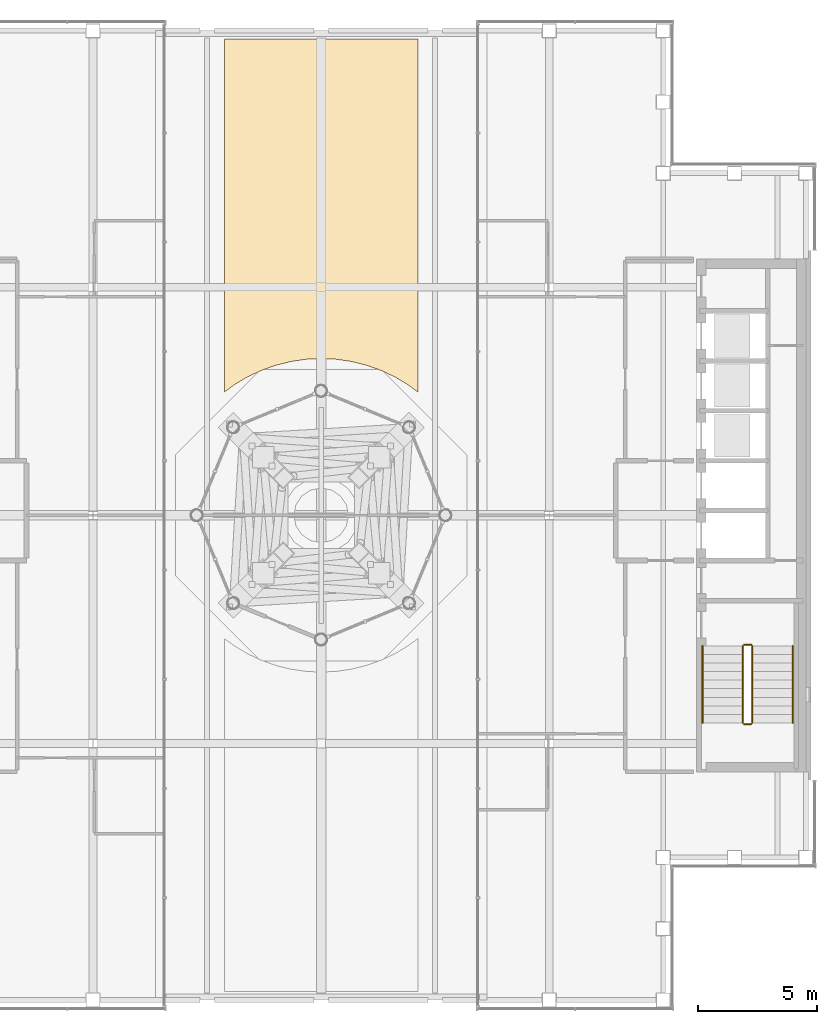
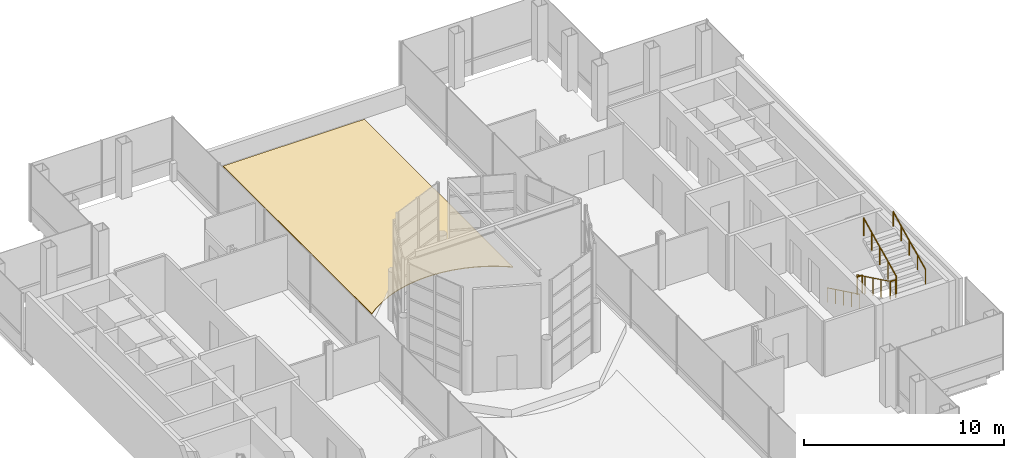
# One storey, part 31 of 32: 6 railings, 1 covering.
"""IFC4 building model written with IfcOpenShell, lengths in metres."""

import ifcopenshell
import ifcopenshell.guid

model = None  # the IFC model being written
_history = None  # IfcOwnerHistory: only IFC2X3 demands one
_inside = {}  # id of a spatial element -> (the spatial element, [elements in it])
_under = {}  # id of a project, library or spatial element -> (it, [spatial elements below it])
_declared = {}  # id of a project -> (the project, [libraries it declares])
_typed = {}  # id of a type object -> (the type object, [elements of that type])
_made_of = {}  # id of a material, layer set ... -> (it, [elements and type objects made of it])


def new_model(schema):
    """Start an empty IFC model of exactly this schema.

    Asked for "IFC4X3", IfcOpenShell would pick the latest addendum, in which some entities
    have other attributes; the version numbers below select the first issue.
    IFC2X3 requires an IfcOwnerHistory on every rooted entity: one is made here for all.
    """
    global model, _history
    if schema == "IFC4X3":
        model = ifcopenshell.file(schema_version=(4, 3, 0, 0))
    else:
        model = ifcopenshell.file(schema=schema)
    _inside.clear()
    _under.clear()
    _declared.clear()
    _typed.clear()
    _made_of.clear()
    _history = None
    if model.schema == "IFC2X3":
        org = make("IfcOrganization", Name="unknown")
        user = make(
            "IfcPersonAndOrganization",
            ThePerson=make("IfcPerson", FamilyName="unknown"),
            TheOrganization=org,
        )
        app = make(
            "IfcApplication",
            ApplicationDeveloper=org,
            Version="unknown",
            ApplicationFullName="unknown",
            ApplicationIdentifier="unknown",
        )
        _history = make(
            "IfcOwnerHistory",
            OwningUser=user,
            OwningApplication=app,
            ChangeAction="ADDED",
            CreationDate=0,
        )
    return model


def make(cls, **values):
    """One entity of the class cls with the attributes given. An attribute that is None is left unset."""
    return model.create_entity(
        cls, **{name: value for name, value in values.items() if value is not None}
    )


def rooted(cls, **values):
    """An entity with a GlobalId (a new one), such as an element, a storey or a relation."""
    return make(cls, GlobalId=ifcopenshell.guid.new(), OwnerHistory=_history, **values)


def si_unit(unit_type, name, prefix=None):
    """IfcSIUnit, for example si_unit("LENGTHUNIT", "METRE", prefix="MILLI")."""
    return make("IfcSIUnit", UnitType=unit_type, Prefix=prefix, Name=name)


def assignment(units):
    """IfcUnitAssignment: the units of a project."""
    return None if units is None else make("IfcUnitAssignment", Units=units)


def point(xyz):
    """IfcCartesianPoint."""
    return None if xyz is None else make("IfcCartesianPoint", Coordinates=xyz)


def direction(xyz):
    """IfcDirection."""
    return None if xyz is None else make("IfcDirection", DirectionRatios=xyz)


def frame(location, z_axis=None, x_axis=None):
    """IfcAxis2Placement3D, a coordinate frame: its origin and axes. An axis left out is left unset."""
    return make(
        "IfcAxis2Placement3D",
        Location=point(location),
        Axis=direction(z_axis),
        RefDirection=direction(x_axis),
    )


def frame_2d(location, x_axis=None):
    """IfcAxis2Placement2D, a coordinate frame in the plane: its origin and x axis."""
    return make(
        "IfcAxis2Placement2D", Location=point(location), RefDirection=direction(x_axis)
    )


def origin():
    """The frame at (0, 0, 0) with its axes left unset."""
    return frame((0.0, 0.0, 0.0))


def origin_2d():
    """The frame at (0, 0) in the plane with its x axis left unset."""
    return frame_2d((0.0, 0.0))


def place(relative_to, where):
    """IfcLocalPlacement: puts the frame where relative to a parent placement (None: the world)."""
    return make(
        "IfcLocalPlacement", PlacementRelTo=relative_to, RelativePlacement=where
    )


def context(
    kind, dimensions, precision=None, world=None, true_north=None, identifier=None
):
    """IfcGeometricRepresentationContext, for example the 3D "Model" context."""
    return make(
        "IfcGeometricRepresentationContext",
        ContextIdentifier=identifier,
        ContextType=kind,
        CoordinateSpaceDimension=dimensions,
        Precision=precision,
        WorldCoordinateSystem=world,
        TrueNorth=true_north,
    )


def subcontext(parent, identifier, kind, view, scale=None):
    """IfcGeometricRepresentationSubContext, for example "Body" below "Model"."""
    return make(
        "IfcGeometricRepresentationSubContext",
        ContextIdentifier=identifier,
        ContextType=kind,
        ParentContext=parent,
        TargetScale=scale,
        TargetView=view,
    )


def project(units=None, contexts=None):
    """IfcProject with its units and contexts."""
    return rooted(
        "IfcProject",
        Name="project",
        RepresentationContexts=contexts,
        UnitsInContext=assignment(units),
    )


def spatial(cls, under=None, at=None, **own):
    """A site, building, storey or space (cls), placed at a placement, below another one or the project."""
    s = rooted(cls, ObjectPlacement=at, **own)
    if under is not None:
        _under.setdefault(under.id(), (under, []))[1].append(s)
    return s


def polyline(points):
    """IfcPolyline through the points."""
    return make("IfcPolyline", Points=[point(p) for p in points])


def profile(cls, at=None, kind="AREA", **sizes):
    """A parametric profile (cls). Its sizes go by their IFC names, for example OverallWidth=200.0."""
    return make(cls, ProfileType=kind, Position=at, **sizes)


def circle(**sizes):
    """IfcCircleProfileDef."""
    return profile("IfcCircleProfileDef", **sizes)


def outline(outer, holes=None, kind="AREA"):
    """IfcArbitraryClosedProfileDef: a profile drawn as a closed curve; with holes, ...WithVoids."""
    if holes is None:
        return make("IfcArbitraryClosedProfileDef", ProfileType=kind, OuterCurve=outer)
    return make(
        "IfcArbitraryProfileDefWithVoids",
        ProfileType=kind,
        OuterCurve=outer,
        InnerCurves=holes,
    )


def extrude(swept, where, along, depth):
    """IfcExtrudedAreaSolid: the profile swept, set in the frame where, extruded along a direction by depth."""
    return make(
        "IfcExtrudedAreaSolid",
        SweptArea=swept,
        Position=where,
        ExtrudedDirection=direction(along),
        Depth=depth,
    )


def shape(context_of_items, identifier, shape_type, items):
    """IfcShapeRepresentation: the items that make up one representation, for example the "Body"."""
    return make(
        "IfcShapeRepresentation",
        ContextOfItems=context_of_items,
        RepresentationIdentifier=identifier,
        RepresentationType=shape_type,
        Items=items,
    )


def material(Name=None, Category=None):
    """IfcMaterial."""
    return make("IfcMaterial", Name=Name, Category=Category)


def layer(
    of_material, thickness, ventilated=None, Name=None, Category=None, Priority=None
):
    """IfcMaterialLayer: one layer of a wall or slab, of a material (None: an air gap)."""
    return make(
        "IfcMaterialLayer",
        Material=of_material,
        LayerThickness=thickness,
        IsVentilated=ventilated,
        Name=Name,
        Category=Category,
        Priority=Priority,
    )


def layer_set(layers, Name=None):
    """IfcMaterialLayerSet."""
    return make("IfcMaterialLayerSet", MaterialLayers=layers, LayerSetName=Name)


def made_of(thing, what):
    """Note that an element or type object is made of a material, layer set ...; save() writes the relation."""
    if what is not None:
        _made_of.setdefault(what.id(), (what, []))[1].append(thing)
    return thing


def type_object(cls, material=None, **own):
    """A type object (cls), such as IfcWallType, which elements share."""
    return made_of(rooted(cls, **own), material)


def element(
    cls,
    number,
    at=None,
    inside=None,
    cuts=None,
    type_object=None,
    material=None,
    context=None,
    identifier="Body",
    shape_type=None,
    held_by="IfcProductDefinitionShape",
    body=None,
    shapes=None,
    **own,
):
    """One element of the class cls, such as IfcWall. Its Tag is "e" and its number.

    at: its placement. inside: the storey or other place that contains it. cuts: it is an
    opening in that element (IfcRelVoidsElement). A single representation is given by context,
    identifier, shape_type and body (its items); several are given by shapes. held_by: the class
    of the entity that holds the representations. save() writes the other relations.
    """
    e = rooted(cls, Tag="e%d" % number, ObjectPlacement=at, **own)
    if body is not None:
        shapes = [shape(context, identifier, shape_type, body)]
    if shapes is not None:
        e.Representation = make(held_by, Representations=shapes)
    if inside is not None:
        _inside.setdefault(inside.id(), (inside, []))[1].append(e)
    if cuts is not None:
        rooted(
            "IfcRelVoidsElement", RelatingBuildingElement=cuts, RelatedOpeningElement=e
        )
    if type_object is not None:
        _typed.setdefault(type_object.id(), (type_object, []))[1].append(e)
    return made_of(e, material)


def aggregate(whole, parts):
    """IfcRelAggregates: a whole, such as a stair, and the parts it consists of."""
    return rooted("IfcRelAggregates", RelatingObject=whole, RelatedObjects=parts)


def save(model, path):
    """Write the relations noted so far, then the file.

    IfcRelAggregates (storeys below a building ...), IfcRelContainedInSpatialStructure (elements
    in a storey), IfcRelDefinesByType, IfcRelAssociatesMaterial and IfcRelDeclares: one each for
    every whole, place, type object, material and project.
    """
    for whole, parts in _under.values():
        aggregate(whole, parts)
    for where, things in _inside.values():
        rooted(
            "IfcRelContainedInSpatialStructure",
            RelatedElements=things,
            RelatingStructure=where,
        )
    for kind, things in _typed.values():
        rooted("IfcRelDefinesByType", RelatedObjects=things, RelatingType=kind)
    for what, things in _made_of.values():
        rooted("IfcRelAssociatesMaterial", RelatedObjects=things, RelatingMaterial=what)
    for by, libraries in _declared.values():
        rooted("IfcRelDeclares", RelatingContext=by, RelatedDefinitions=libraries)
    model.write(path)


model = new_model("IFC4")

# Units and contexts
model_context = context("Model", 3, precision=1e-05, world=origin(), true_north=direction((0.0, 1.0)))
body_context = subcontext(model_context, "Body", "Model", "MODEL_VIEW")
ifc_project = project(units=[si_unit("LENGTHUNIT", "METRE"), si_unit("AREAUNIT", "SQUARE_METRE"), si_unit("VOLUMEUNIT", "CUBIC_METRE"), si_unit("PLANEANGLEUNIT", "RADIAN"), si_unit("MASSUNIT", "GRAM", prefix="KILO")], contexts=[model_context])

# Site, building, storey
site_placement = place(None, origin())
site = spatial("IfcSite", under=ifc_project, at=site_placement, CompositionType="ELEMENT")
building_placement = place(site_placement, origin())
building = spatial("IfcBuilding", under=site, at=building_placement, Name="Cobrizo Arcos Hotel Tower", CompositionType="ELEMENT")
storey_placement = place(building_placement, frame((0.0, 0.0, 265.5)))
storey = spatial("IfcBuildingStorey", under=building, at=storey_placement, Name="L70", CompositionType="ELEMENT", Elevation=265.5)

# Covering
ifc_material_1 = material(Name="Roof membrane TPO single ply")
ifc_layer = layer(ifc_material_1, 0.0400390625)
ifc_layer_set = layer_set([ifc_layer], Name="RC-1 roof covering")
covering_type = type_object("IfcCoveringType", Name="RC-1 roof covering", PredefinedType="ROOFING", material=ifc_layer_set)
covering_placement = place(storey_placement, origin())
element("IfcCovering", 1, at=covering_placement, inside=storey, type_object=covering_type, Name="Roof covering L69 1", PredefinedType="ROOFING", context=body_context, shape_type="SweptSolid", body=[
    extrude(outline(polyline([(3.666748046875, 5.48779296875), (3.111328125, 5.82080078125), (2.525634765625, 6.09765625), (1.915771484375, 6.31591796875), (1.28759765625, 6.47314453125), (0.64697265625, 6.568115234375), (0.0, 6.60009765625), (-0.64697265625, 6.568115234375), (-1.28759765625, 6.47314453125), (-1.915771484375, 6.31591796875), (-2.525634765625, 6.09765625), (-3.111328125, 5.82080078125), (-3.666748046875, 5.48779296875), (-4.073974609375, 5.185546875), (-4.073974609375, 20.050048828125), (4.073974609375, 20.050048828125), (4.073974609375, 5.185546875), (3.666748046875, 5.48779296875)])), origin(), (0.0, 0.0, 1.0), 0.0400390625),
])

# Railings
ifc_material_2 = material(Name="Stainless steel railing", Category="steel")
railing_type_1 = type_object("IfcRailingType", Name="Stair guard 1100", PredefinedType="GUARDRAIL", material=ifc_material_2)
railing_1_placement = place(storey_placement, frame((17.75, -5.5, 0.175048828125)))
element("IfcRailing", 2, at=railing_1_placement, inside=storey, type_object=railing_type_1, Name="L70 ST-E stair guard 1", PredefinedType="GUARDRAIL", context=body_context, shape_type="SweptSolid", body=[
    extrude(circle(Radius=0.02392578125, at=origin_2d()), frame((0.0, 0.0, 1.076171875), z_axis=(0.0, -0.899372665325, 0.437182809435), x_axis=(1.0, 0.0, 0.0)), (0.0, 0.0, 1.0), 3.6025390625),
    extrude(circle(Radius=0.02099609375, at=origin_2d()), origin(), (0.0, 0.0, 1.0), 1.052001953125),
    extrude(circle(Radius=0.02099609375, at=origin_2d()), frame((0.0, -0.81005859375, 0.393798828125)), (0.0, 0.0, 1.0), 1.052001953125),
    extrude(circle(Radius=0.02099609375, at=origin_2d()), frame((0.0, -1.6201171875, 0.78759765625)), (0.0, 0.0, 1.0), 1.052001953125),
    extrude(circle(Radius=0.02099609375, at=origin_2d()), frame((0.0, -2.429931640625, 1.18115234375)), (0.0, 0.0, 1.0), 1.052001953125),
    extrude(circle(Radius=0.02099609375, at=origin_2d()), frame((0.0, -3.239990234375, 1.574951171875)), (0.0, 0.0, 1.0), 1.052001953125),
])
railing_2_placement = place(storey_placement, frame((17.800048828125, -8.7900390625, 1.75)))
element("IfcRailing", 3, at=railing_2_placement, inside=storey, type_object=railing_type_1, Name="L70 ST-E stair guard 2", PredefinedType="GUARDRAIL", context=body_context, shape_type="SweptSolid", body=[
    extrude(circle(Radius=0.02392578125, at=origin_2d()), frame((0.0, 0.0, 1.076171875), z_axis=(1.0, 0.0, 0.0), x_axis=(0.0, 1.0, 0.0)), (0.0, 0.0, 1.0), 0.300048828125),
    extrude(circle(Radius=0.02099609375, at=origin_2d()), origin(), (0.0, 0.0, 1.0), 1.052001953125),
    extrude(circle(Radius=0.02099609375, at=origin_2d()), frame((0.300048828125, 0.0, 0.0)), (0.0, 0.0, 1.0), 1.052001953125),
])
railing_3_placement = place(storey_placement, frame((18.14990234375, -8.739990234375, 1.925048828125)))
element("IfcRailing", 4, at=railing_3_placement, inside=storey, type_object=railing_type_1, Name="L70 ST-E stair guard 3", PredefinedType="GUARDRAIL", context=body_context, shape_type="SweptSolid", body=[
    extrude(circle(Radius=0.02392578125, at=origin_2d()), frame((0.0, 0.0, 1.076171875), z_axis=(0.0, 0.899372665325, 0.437182809435), x_axis=(-1.0, 0.0, 0.0)), (0.0, 0.0, 1.0), 3.6025390625),
    extrude(circle(Radius=0.02099609375, at=origin_2d()), origin(), (0.0, 0.0, 1.0), 1.052001953125),
    extrude(circle(Radius=0.02099609375, at=origin_2d()), frame((0.0, 0.81005859375, 0.393798828125)), (0.0, 0.0, 1.0), 1.052001953125),
    extrude(circle(Radius=0.02099609375, at=origin_2d()), frame((0.0, 1.6201171875, 0.78759765625)), (0.0, 0.0, 1.0), 1.052001953125),
    extrude(circle(Radius=0.02099609375, at=origin_2d()), frame((0.0, 2.429931640625, 1.18115234375)), (0.0, 0.0, 1.0), 1.052001953125),
    extrude(circle(Radius=0.02099609375, at=origin_2d()), frame((0.0, 3.239990234375, 1.574951171875)), (0.0, 0.0, 1.0), 1.052001953125),
])
railing_4_placement = place(storey_placement, frame((17.800048828125, -5.449951171875, 0.0)))
element("IfcRailing", 5, at=railing_4_placement, inside=storey, type_object=railing_type_1, Name="L70 ST-E stair guard 4", PredefinedType="GUARDRAIL", context=body_context, shape_type="SweptSolid", body=[
    extrude(circle(Radius=0.02392578125, at=origin_2d()), frame((0.0, 0.0, 1.076171875), z_axis=(1.0, 0.0, 0.0), x_axis=(0.0, 1.0, 0.0)), (0.0, 0.0, 1.0), 0.300048828125),
    extrude(circle(Radius=0.02099609375, at=origin_2d()), origin(), (0.0, 0.0, 1.0), 1.052001953125),
    extrude(circle(Radius=0.02099609375, at=origin_2d()), frame((0.300048828125, 0.0, 0.0)), (0.0, 0.0, 1.0), 1.052001953125),
])
railing_type_2 = type_object("IfcRailingType", Name="Stair handrail", PredefinedType="HANDRAIL", material=ifc_material_2)
railing_5_placement = place(storey_placement, frame((16.050048828125, -5.5, 0.175048828125)))
element("IfcRailing", 6, at=railing_5_placement, inside=storey, type_object=railing_type_2, Name="L70 ST-E stair handrail 1", PredefinedType="HANDRAIL", context=body_context, shape_type="SweptSolid", body=[
    extrude(circle(Radius=0.02392578125, at=origin_2d()), frame((0.0, 0.0, 0.8759765625), z_axis=(0.0, -0.899372665325, 0.437182809435), x_axis=(1.0, 0.0, 0.0)), (0.0, 0.0, 1.0), 3.6025390625),
    extrude(circle(Radius=0.02099609375, at=origin_2d()), origin(), (0.0, 0.0, 1.0), 0.851806640625),
    extrude(circle(Radius=0.02099609375, at=origin_2d()), frame((0.0, -0.81005859375, 0.393798828125)), (0.0, 0.0, 1.0), 0.851806640625),
    extrude(circle(Radius=0.02099609375, at=origin_2d()), frame((0.0, -1.6201171875, 0.78759765625)), (0.0, 0.0, 1.0), 0.851806640625),
    extrude(circle(Radius=0.02099609375, at=origin_2d()), frame((0.0, -2.429931640625, 1.18115234375)), (0.0, 0.0, 1.0), 0.851806640625),
    extrude(circle(Radius=0.02099609375, at=origin_2d()), frame((0.0, -3.239990234375, 1.574951171875)), (0.0, 0.0, 1.0), 0.851806640625),
])
railing_6_placement = place(storey_placement, frame((19.85009765625, -8.739990234375, 1.925048828125)))
element("IfcRailing", 7, at=railing_6_placement, inside=storey, type_object=railing_type_2, Name="L70 ST-E stair handrail 2", PredefinedType="HANDRAIL", context=body_context, shape_type="SweptSolid", body=[
    extrude(circle(Radius=0.02392578125, at=origin_2d()), frame((0.0, 0.0, 0.8759765625), z_axis=(0.0, 0.899372665325, 0.437182809435), x_axis=(-1.0, 0.0, 0.0)), (0.0, 0.0, 1.0), 3.6025390625),
    extrude(circle(Radius=0.02099609375, at=origin_2d()), origin(), (0.0, 0.0, 1.0), 0.851806640625),
    extrude(circle(Radius=0.02099609375, at=origin_2d()), frame((0.0, 0.81005859375, 0.393798828125)), (0.0, 0.0, 1.0), 0.851806640625),
    extrude(circle(Radius=0.02099609375, at=origin_2d()), frame((0.0, 1.6201171875, 0.78759765625)), (0.0, 0.0, 1.0), 0.851806640625),
    extrude(circle(Radius=0.02099609375, at=origin_2d()), frame((0.0, 2.429931640625, 1.18115234375)), (0.0, 0.0, 1.0), 0.851806640625),
    extrude(circle(Radius=0.02099609375, at=origin_2d()), frame((0.0, 3.239990234375, 1.574951171875)), (0.0, 0.0, 1.0), 0.851806640625),
])

save(model, "model.ifc")
